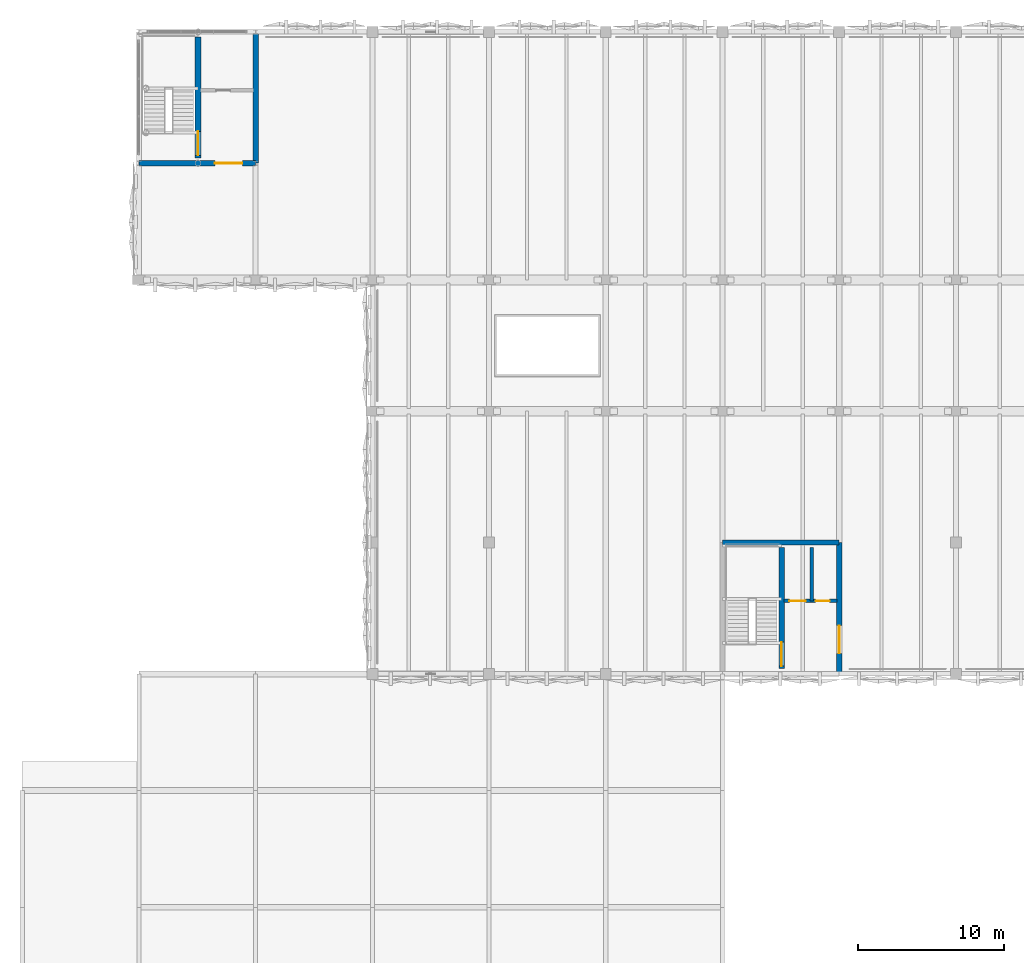
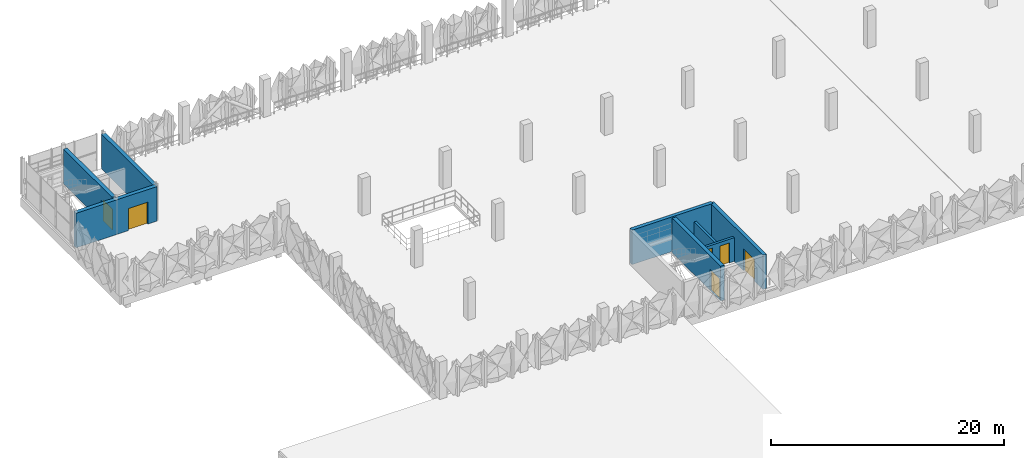
# One storey, part 40 of 76: 8 walls, 6 doors, 6 openings.
"""IFC4 building model written with IfcOpenShell, lengths in metres."""

from ifc_helpers import new_model, si_unit, derived_unit, direction, frame, frame_2d, origin, place, context, subcontext, project, spatial, rectangle, extrude, material, layer, layer_set, type_object, element, fill, save


model = new_model("IFC4")

# Units and contexts
model_context = context("Model", 3, precision=1e-05, world=origin(), true_north=direction((0.0, 1.0)))
body_context = subcontext(model_context, "Body", "Model", "MODEL_VIEW")
ifc_project = project(units=[si_unit("LENGTHUNIT", "METRE"), si_unit("AREAUNIT", "SQUARE_METRE"), si_unit("VOLUMEUNIT", "CUBIC_METRE"), si_unit("PLANEANGLEUNIT", "RADIAN"), si_unit("MASSUNIT", "GRAM", prefix="KILO"), si_unit("THERMODYNAMICTEMPERATUREUNIT", "KELVIN"), derived_unit("THERMALTRANSMITTANCEUNIT", [(si_unit("POWERUNIT", "WATT"), 1), (si_unit("AREAUNIT", "SQUARE_METRE"), -1), (si_unit("THERMODYNAMICTEMPERATUREUNIT", "KELVIN"), -1)])], contexts=[model_context])

# Site, building, storey
site_placement = place(None, origin())
site = spatial("IfcSite", under=ifc_project, at=site_placement, CompositionType="ELEMENT")
building_placement = place(site_placement, origin())
building = spatial("IfcBuilding", under=site, at=building_placement, Name="Haiyu Intermodal Mobility Hub", CompositionType="ELEMENT")
storey_placement = place(building_placement, frame((0.0, 0.0, 17.300048828125)))
storey = spatial("IfcBuildingStorey", under=building, at=storey_placement, Name="L04", CompositionType="ELEMENT", Elevation=17.300048828125)

# Wall
ifc_material_1 = material(Name="Autoclaved aerated concrete block A5.0", Category="concrete")
ifc_layer_1 = layer(ifc_material_1, 0.22998046875)
ifc_layer_set_1 = layer_set([ifc_layer_1], Name="Autoclaved aerated concrete block A5.0")
wall_type_1 = type_object("IfcWallType", Name="WAL-WI01", PredefinedType="PARTITIONING", material=ifc_layer_set_1)
wall_1_placement = place(storey_placement, frame((68.1298828125, 109.0, 0.0), z_axis=(0.0, 0.0, 1.0), x_axis=(0.0, 1.0, 0.0)))
element("IfcWall", 1, at=wall_1_placement, inside=storey, type_object=wall_type_1, Name="WAL-CORE-C5-LSH-L04", PredefinedType="PARTITIONING", context=body_context, shape_type="SweptSolid", body=[
    extrude(rectangle(XDim=3.64990234375, YDim=0.22998046875, at=frame_2d((1.824951171875, 0.0))), origin(), (0.0, 0.0, 1.0), 2.47998046875),
])

# Wall, openings, doors
wall_2_placement = place(storey_placement, frame((66.2099609375, 109.0, 0.0), z_axis=(0.0, 0.0, 1.0), x_axis=(1.0, 0.0, 0.0)))
wall_2 = element("IfcWall", 2, at=wall_2_placement, inside=storey, type_object=wall_type_1, Name="WAL-CORE-C5-LFT-L04", PredefinedType="PARTITIONING", context=body_context, shape_type="SweptSolid", body=[
    extrude(rectangle(XDim=3.630126953125, YDim=0.22998046875, at=frame_2d((1.81494140625, 0.0))), origin(), (0.0, 0.0, 1.0), 2.47998046875),
])
opening_1_placement = place(wall_2_placement, frame((0.3798828125, 0.0, 0.0)))
opening_1 = element("IfcOpeningElement", 3, at=opening_1_placement, cuts=wall_2, Name="Opening LD01", PredefinedType="OPENING", context=body_context, shape_type="SweptSolid", body=[
    extrude(rectangle(XDim=1.10009765625, YDim=2.14990234375, at=frame_2d((0.550048828125, 1.074951171875))), frame((0.0, 0.125, 0.0), z_axis=(0.0, -1.0, 0.0), x_axis=(1.0, 0.0, 0.0)), (0.0, 0.0, 1.0), 0.25),
])
opening_2_placement = place(wall_2_placement, frame((2.179931640625, 0.0, 0.0)))
opening_2 = element("IfcOpeningElement", 4, at=opening_2_placement, cuts=wall_2, Name="Opening DI07", PredefinedType="OPENING", context=body_context, shape_type="SweptSolid", body=[
    extrude(rectangle(XDim=0.949951171875, YDim=2.10009765625, at=frame_2d((0.47509765625, 1.050048828125))), frame((0.0, 0.125, 0.0), z_axis=(0.0, -1.0, 0.0), x_axis=(1.0, 0.0, 0.0)), (0.0, 0.0, 1.0), 0.25),
])
ifc_material_2 = material(Name="Steel Q355C", Category="steel")
door_type_1 = type_object("IfcDoorType", Name="DR-DI07", OperationType="NOTDEFINED", PredefinedType="DOOR", material=ifc_material_2)
door_1_placement = place(opening_2_placement, origin())
door_1 = element("IfcDoor", 5, at=door_1_placement, inside=storey, type_object=door_type_1, Name="Core C5 Accessible WC Door L04", OperationType="SINGLE_SWING_RIGHT", OverallHeight=2.10009765625, OverallWidth=0.949951171875, PredefinedType="DOOR", context=body_context, shape_type="SweptSolid", body=[
    extrude(rectangle(XDim=0.949951171875, YDim=2.10009765625, at=frame_2d((0.47509765625, 1.050048828125))), frame((0.0, 0.02490234375, 0.0), z_axis=(0.0, -1.0, 0.0), x_axis=(1.0, 0.0, 0.0)), (0.0, 0.0, 1.0), 0.050048828125),
])
fill(opening_2, door_1)
door_type_2 = type_object("IfcDoorType", Name="DR-LD01", OperationType="DOUBLE_DOOR_SLIDING", PredefinedType="DOOR", material=ifc_material_2)
door_2_placement = place(opening_1_placement, origin())
door_2 = element("IfcDoor", 6, at=door_2_placement, inside=storey, type_object=door_type_2, Name="Lift FL-02 Sliding Landing Door L04", OperationType="SLIDING_TO_LEFT", OverallHeight=2.14990234375, OverallWidth=1.10009765625, PredefinedType="DOOR", context=body_context, shape_type="SweptSolid", body=[
    extrude(rectangle(XDim=1.10009765625, YDim=2.14990234375, at=frame_2d((0.550048828125, 1.074951171875))), frame((0.0, 0.02490234375, 0.0), z_axis=(0.0, -1.0, 0.0), x_axis=(1.0, 0.0, 0.0)), (0.0, 0.0, 1.0), 0.050048828125),
])
fill(opening_1, door_2)

# Wall, opening, door
ifc_material_3 = material(Name="Concrete C40", Category="concrete")
ifc_layer_2 = layer(ifc_material_3, 0.35009765625)
ifc_layer_set_2 = layer_set([ifc_layer_2], Name="Concrete C40")
wall_type_2 = type_object("IfcWallType", Name="WAL-WS02", PredefinedType="SHEAR", material=ifc_layer_set_2)
wall_3_placement = place(storey_placement, frame((70.0, 104.0, 0.0), z_axis=(0.0, 0.0, 1.0), x_axis=(0.0, 1.0, 0.0)))
wall_3 = element("IfcWall", 7, at=wall_3_placement, inside=storey, type_object=wall_type_2, Name="WAL-CORE-C5-E-L04", PredefinedType="SHEAR", context=body_context, shape_type="SweptSolid", body=[
    extrude(rectangle(XDim=9.0, YDim=0.35009765625, at=frame_2d((4.5, 0.0))), origin(), (0.0, 0.0, 1.0), 3.619873046875),
])
opening_3_placement = place(wall_3_placement, frame((1.39990234375, 0.0, 0.0)))
opening_3 = element("IfcOpeningElement", 8, at=opening_3_placement, cuts=wall_3, Name="Opening DI01", PredefinedType="OPENING", context=body_context, shape_type="SweptSolid", body=[
    extrude(rectangle(XDim=1.89990234375, YDim=2.300048828125, at=frame_2d((0.949951171875, 1.14990234375))), frame((0.0, 0.18505859375, 0.0), z_axis=(0.0, -1.0, 0.0), x_axis=(1.0, 0.0, 0.0)), (0.0, 0.0, 1.0), 0.3701171875),
])
door_type_3 = type_object("IfcDoorType", Name="DR-DI01", OperationType="DOUBLE_DOOR_SINGLE_SWING", PredefinedType="DOOR", material=ifc_material_2)
door_3_placement = place(opening_3_placement, origin())
door_3 = element("IfcDoor", 9, at=door_3_placement, inside=storey, type_object=door_type_3, Name="Core C5 Lobby Fire Door L04", OperationType="SINGLE_SWING_LEFT", OverallHeight=2.300048828125, OverallWidth=1.89990234375, PredefinedType="DOOR", context=body_context, shape_type="SweptSolid", body=[
    extrude(rectangle(XDim=1.89990234375, YDim=2.300048828125, at=frame_2d((0.949951171875, 1.14990234375))), frame((0.0, 0.02490234375, 0.0), z_axis=(0.0, -1.0, 0.0), x_axis=(1.0, 0.0, 0.0)), (0.0, 0.0, 1.0), 0.050048828125),
])
fill(opening_3, door_3)

# Wall
wall_4_placement = place(storey_placement, frame((70.0, 113.0, 0.0), z_axis=(0.0, 0.0, 1.0), x_axis=(-1.0, 0.0, 0.0)))
element("IfcWall", 10, at=wall_4_placement, inside=storey, type_object=wall_type_2, Name="WAL-CORE-C5-N-L04", PredefinedType="SHEAR", context=body_context, shape_type="SweptSolid", body=[
    extrude(rectangle(XDim=8.0, YDim=0.35009765625, at=frame_2d((4.0, 0.0))), origin(), (0.0, 0.0, 1.0), 3.619873046875),
])

# Wall, opening, door
ifc_layer_3 = layer(ifc_material_3, 0.3798828125)
ifc_layer_set_3 = layer_set([ifc_layer_3], Name="Concrete C40")
wall_type_3 = type_object("IfcWallType", Name="WAL-WS03", PredefinedType="SHEAR", material=ifc_layer_set_3)
wall_5_placement = place(storey_placement, frame((22.0, 139.0, 0.0), z_axis=(0.0, 0.0, 1.0), x_axis=(1.0, 0.0, 0.0)))
wall_5 = element("IfcWall", 11, at=wall_5_placement, inside=storey, type_object=wall_type_3, Name="WAL-CORE-C3-S-L04", PredefinedType="SHEAR", context=body_context, shape_type="SweptSolid", body=[
    extrude(rectangle(XDim=8.0, YDim=0.3798828125, at=frame_2d((4.0, 0.0))), origin(), (0.0, 0.0, 1.0), 3.619873046875),
])
opening_4_placement = place(wall_5_placement, frame((5.199951171875, 0.0, 0.0)))
opening_4 = element("IfcOpeningElement", 12, at=opening_4_placement, cuts=wall_5, Name="Opening DI01", PredefinedType="OPENING", context=body_context, shape_type="SweptSolid", body=[
    extrude(rectangle(XDim=1.89990234375, YDim=2.300048828125, at=frame_2d((0.949951171875, 1.14990234375))), frame((0.0, 0.199951171875, 0.0), z_axis=(0.0, -1.0, 0.0), x_axis=(1.0, 0.0, 0.0)), (0.0, 0.0, 1.0), 0.39990234375),
])
door_4_placement = place(opening_4_placement, origin())
door_4 = element("IfcDoor", 13, at=door_4_placement, inside=storey, type_object=door_type_3, Name="Core C3 Lobby Fire Door L04", OperationType="SINGLE_SWING_LEFT", OverallHeight=2.300048828125, OverallWidth=1.89990234375, PredefinedType="DOOR", context=body_context, shape_type="SweptSolid", body=[
    extrude(rectangle(XDim=1.89990234375, YDim=2.300048828125, at=frame_2d((0.949951171875, 1.14990234375))), frame((0.0, 0.02490234375, 0.0), z_axis=(0.0, -1.0, 0.0), x_axis=(1.0, 0.0, 0.0)), (0.0, 0.0, 1.0), 0.050048828125),
])
fill(opening_4, door_4)

# Wall
wall_6_placement = place(storey_placement, frame((30.0, 139.0, 0.0), z_axis=(0.0, 0.0, 1.0), x_axis=(0.0, 1.0, 0.0)))
element("IfcWall", 14, at=wall_6_placement, inside=storey, type_object=wall_type_3, Name="WAL-CORE-C3-E-L04", PredefinedType="SHEAR", context=body_context, shape_type="SweptSolid", body=[
    extrude(rectangle(XDim=9.0, YDim=0.3798828125, at=frame_2d((4.5, 0.0))), origin(), (0.0, 0.0, 1.0), 3.619873046875),
])

# Wall, opening, door
wall_7_placement = place(storey_placement, frame((26.050048828125, 139.35009765625, 0.0), z_axis=(0.0, 0.0, 1.0), x_axis=(0.0, 1.0, 0.0)))
wall_7 = element("IfcWall", 15, at=wall_7_placement, inside=storey, type_object=wall_type_3, Name="WAL-CORE-C3-MID-L04", PredefinedType="SHEAR", context=body_context, shape_type="SweptSolid", body=[
    extrude(rectangle(XDim=8.2998046875, YDim=0.3798828125, at=frame_2d((4.14990234375, 0.0))), origin(), (0.0, 0.0, 1.0), 3.619873046875),
])
opening_5_placement = place(wall_7_placement, frame((0.179931640625, 0.0, 0.0)))
opening_5 = element("IfcOpeningElement", 16, at=opening_5_placement, cuts=wall_7, Name="Opening DI02", PredefinedType="OPENING", context=body_context, shape_type="SweptSolid", body=[
    extrude(rectangle(XDim=1.64990234375, YDim=2.199951171875, at=frame_2d((0.824951171875, 1.10009765625))), frame((0.0, 0.199951171875, 0.0), z_axis=(0.0, -1.0, 0.0), x_axis=(1.0, 0.0, 0.0)), (0.0, 0.0, 1.0), 0.39990234375),
])
door_type_4 = type_object("IfcDoorType", Name="DR-DI02", OperationType="DOUBLE_DOOR_SINGLE_SWING", PredefinedType="DOOR", material=ifc_material_2)
door_5_placement = place(opening_5_placement, origin())
door_5 = element("IfcDoor", 17, at=door_5_placement, inside=storey, type_object=door_type_4, Name="Stair ST02 Fire Door L04", OperationType="SINGLE_SWING_LEFT", OverallHeight=2.199951171875, OverallWidth=1.64990234375, PredefinedType="DOOR", context=body_context, shape_type="SweptSolid", body=[
    extrude(rectangle(XDim=1.64990234375, YDim=2.199951171875, at=frame_2d((0.824951171875, 1.10009765625))), frame((0.0, 0.02490234375, 0.0), z_axis=(0.0, -1.0, 0.0), x_axis=(1.0, 0.0, 0.0)), (0.0, 0.0, 1.0), 0.050048828125),
])
fill(opening_5, door_5)

wall_8_placement = place(storey_placement, frame((66.050048828125, 104.35009765625, 0.0), z_axis=(0.0, 0.0, 1.0), x_axis=(0.0, 1.0, 0.0)))
wall_8 = element("IfcWall", 18, at=wall_8_placement, inside=storey, type_object=wall_type_3, Name="WAL-CORE-C5-MID-L04", PredefinedType="SHEAR", context=body_context, shape_type="SweptSolid", body=[
    extrude(rectangle(XDim=8.2998046875, YDim=0.3798828125, at=frame_2d((4.14990234375, 0.0))), origin(), (0.0, 0.0, 1.0), 3.619873046875),
])
opening_6_placement = place(wall_8_placement, frame((0.179931640625, 0.0, 0.0)))
opening_6 = element("IfcOpeningElement", 19, at=opening_6_placement, cuts=wall_8, Name="Opening DI02", PredefinedType="OPENING", context=body_context, shape_type="SweptSolid", body=[
    extrude(rectangle(XDim=1.64990234375, YDim=2.199951171875, at=frame_2d((0.824951171875, 1.10009765625))), frame((0.0, 0.199951171875, 0.0), z_axis=(0.0, -1.0, 0.0), x_axis=(1.0, 0.0, 0.0)), (0.0, 0.0, 1.0), 0.39990234375),
])
door_6_placement = place(opening_6_placement, origin())
door_6 = element("IfcDoor", 20, at=door_6_placement, inside=storey, type_object=door_type_4, Name="Stair ST01 Fire Door L04", OperationType="SINGLE_SWING_LEFT", OverallHeight=2.199951171875, OverallWidth=1.64990234375, PredefinedType="DOOR", context=body_context, shape_type="SweptSolid", body=[
    extrude(rectangle(XDim=1.64990234375, YDim=2.199951171875, at=frame_2d((0.824951171875, 1.10009765625))), frame((0.0, 0.02490234375, 0.0), z_axis=(0.0, -1.0, 0.0), x_axis=(1.0, 0.0, 0.0)), (0.0, 0.0, 1.0), 0.050048828125),
])
fill(opening_6, door_6)

save(model, "model.ifc")
